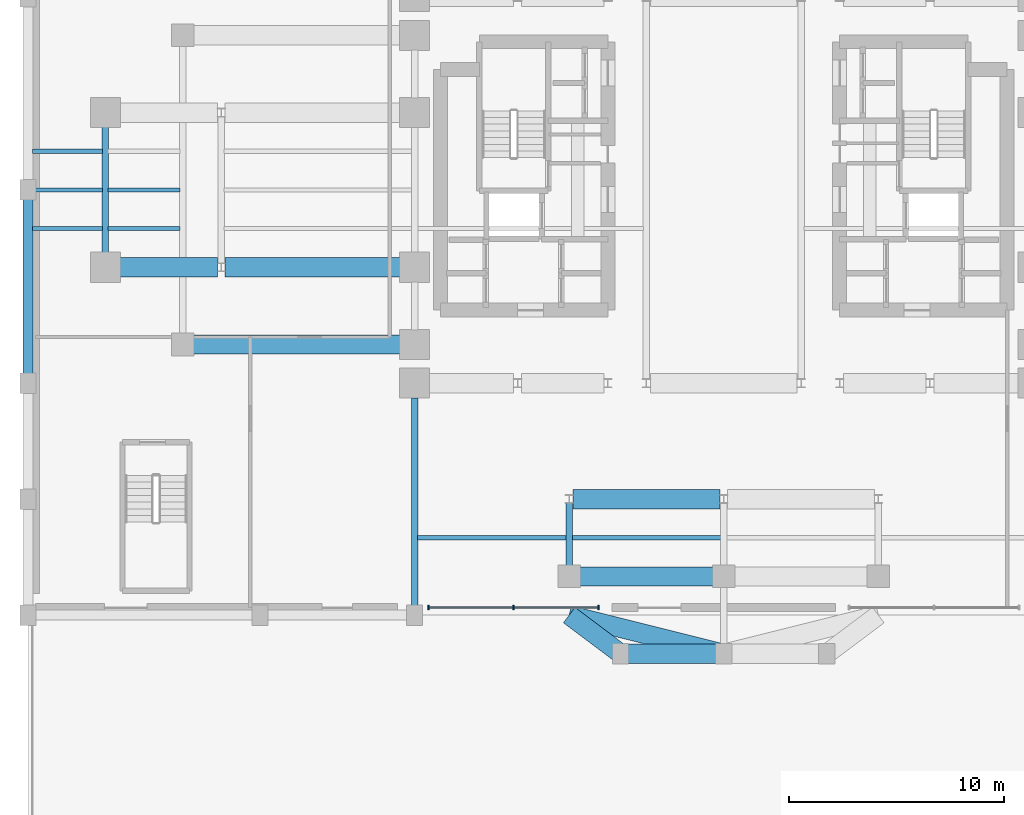
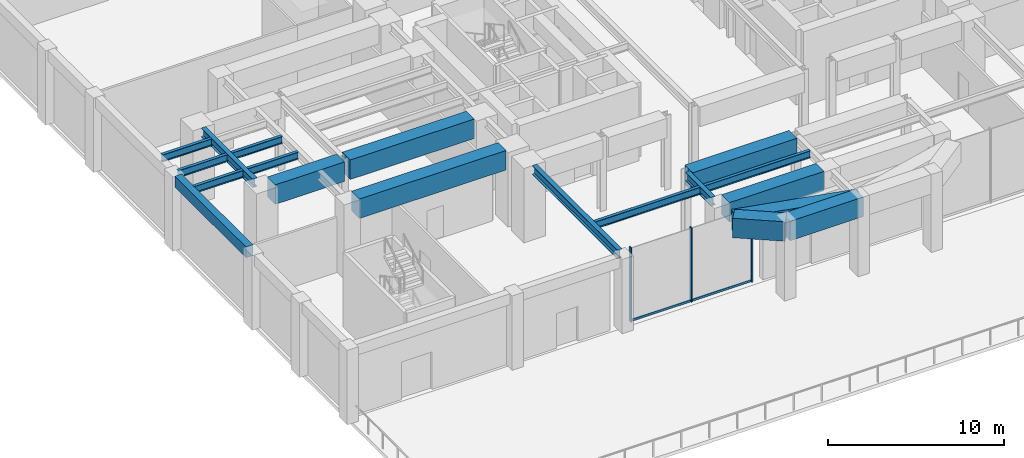
# One storey, part 4 of 17: 19 beams, 5 members, 1 element without a shape of its own.
"""IFC4 building model written with IfcOpenShell, lengths in metres."""

from ifc_helpers import new_model, si_unit, direction, frame, origin, origin_2d, place, context, subcontext, project, spatial, rectangle, i_section, extrude, source, transform, mapped, material, material_profile, profile_set, type_object, element, aggregate, save


model = new_model("IFC4")

# Units and contexts
model_context = context("Model", 3, precision=1e-05, world=origin(), true_north=direction((0.0, 1.0)))
body_context = subcontext(model_context, "Body", "Model", "MODEL_VIEW")
ifc_project = project(units=[si_unit("LENGTHUNIT", "METRE"), si_unit("AREAUNIT", "SQUARE_METRE"), si_unit("VOLUMEUNIT", "CUBIC_METRE"), si_unit("PLANEANGLEUNIT", "RADIAN"), si_unit("MASSUNIT", "GRAM", prefix="KILO")], contexts=[model_context])

# Site, building, storey
site_placement = place(None, origin())
site = spatial("IfcSite", under=ifc_project, at=site_placement, CompositionType="ELEMENT")
building_placement = place(site_placement, origin())
building = spatial("IfcBuilding", under=site, at=building_placement, Name="Keilestroom Media Tower", CompositionType="ELEMENT")
storey_placement = place(building_placement, origin())
storey = spatial("IfcBuildingStorey", under=building, at=storey_placement, Name="L00", CompositionType="ELEMENT", Elevation=0.0)

# Beams
ifc_material_1 = material(Name="Concrete C55/67", Category="concrete")
ifc_material_profile_1 = material_profile(ifc_material_1, rectangle(XDim=0.89990234375, YDim=1.35009765625, at=origin_2d()), Name="RC 900x1350")
ifc_profile_set_1 = profile_set([ifc_material_profile_1], Name="Concrete C55/67")
beam_type_1 = type_object("IfcBeamType", Name="Primary-Structural-Girder-RC-900x1350", PredefinedType="BEAM", material=ifc_profile_set_1)
shared_shape_1 = source(origin(), body_context, "Body", "SweptSolid", [
    extrude(rectangle(XDim=0.89990234375, YDim=1.35009765625, at=origin_2d()), origin(), (0.0, 0.0, 1.0), 3.0),
])
beam_1_placement = place(storey_placement, frame((-4.800048828125, -21.60009765625, 4.705078125), z_axis=(-0.799980468008, 0.600026041773, 0.0), x_axis=(-0.600026041773, -0.799980468008, 0.0)))
element("IfcBeam", 1, at=beam_1_placement, inside=storey, type_object=beam_type_1, Name="L00 South-Lobe Podium Tie Girder 1", PredefinedType="BEAM", context=body_context, shape_type="MappedRepresentation", body=[
    mapped(shared_shape_1, transform((0.0, 0.0, 0.0), x_axis=(1.0, 0.0, 0.0), y_axis=(0.0, 1.0, 0.0), z_axis=(0.0, 0.0, 1.0), scale=1.0)),
])
shared_shape_2 = source(origin(), body_context, "Body", "SweptSolid", [
    extrude(rectangle(XDim=0.89990234375, YDim=1.35009765625, at=origin_2d()), origin(), (0.0, 0.0, 1.0), 7.421630859375),
])
beam_2_placement = place(storey_placement, frame((0.0, -21.60009765625, 4.705078125), z_axis=(-0.970140565046, 0.242543365301, 0.0), x_axis=(-0.242543365301, -0.970140565046, 0.0)))
element("IfcBeam", 2, at=beam_2_placement, inside=storey, type_object=beam_type_1, Name="L00 South-Lobe Podium Tie Girder 2", PredefinedType="BEAM", context=body_context, shape_type="MappedRepresentation", body=[
    mapped(shared_shape_2, transform((0.0, 0.0, 0.0), x_axis=(1.0, 0.0, 0.0), y_axis=(0.0, 1.0, 0.0), z_axis=(0.0, 0.0, 1.0), scale=1.0)),
])
shared_shape_3 = source(origin(), body_context, "Body", "SweptSolid", [
    extrude(rectangle(XDim=0.89990234375, YDim=1.35009765625, at=origin_2d()), origin(), (0.0, 0.0, 1.0), 4.800048828125),
])
beam_3_placement = place(storey_placement, frame((-4.800048828125, -21.60009765625, 4.705078125), z_axis=(1.0, 0.0, 0.0), x_axis=(0.0, 1.0, 0.0)))
element("IfcBeam", 3, at=beam_3_placement, inside=storey, type_object=beam_type_1, Name="L00 South-Lobe Transverse Tie Girder W", PredefinedType="BEAM", context=body_context, shape_type="MappedRepresentation", body=[
    mapped(shared_shape_3, transform((0.0, 0.0, 0.0), x_axis=(1.0, 0.0, 0.0), y_axis=(0.0, 1.0, 0.0), z_axis=(0.0, 0.0, 1.0), scale=1.0)),
])
shared_shape_4 = source(origin(), body_context, "Body", "SweptSolid", [
    extrude(rectangle(XDim=0.89990234375, YDim=1.35009765625, at=origin_2d()), origin(), (0.0, 0.0, 1.0), 6.190185546875),
])
beam_4_placement = place(storey_placement, frame((-6.695068359375, -18.0, 4.47509765625), z_axis=(1.0, 0.0, 0.0), x_axis=(0.0, 1.0, 0.0)))
element("IfcBeam", 4, at=beam_4_placement, inside=storey, type_object=beam_type_1, Name="L00 Beam TG-2 BM-L00-EW-005", PredefinedType="BEAM", context=body_context, shape_type="MappedRepresentation", body=[
    mapped(shared_shape_4, transform((0.0, 0.0, 0.0), x_axis=(1.0, 0.0, 0.0), y_axis=(0.0, 1.0, 0.0), z_axis=(0.0, 0.0, 1.0), scale=1.0)),
])
shared_shape_5 = source(origin(), body_context, "Body", "SweptSolid", [
    extrude(rectangle(XDim=0.89990234375, YDim=1.35009765625, at=origin_2d()), origin(), (0.0, 0.0, 1.0), 6.833984375),
])
beam_5_placement = place(storey_placement, frame((-7.01708984375, -14.39990234375, 4.47509765625), z_axis=(1.0, 0.0, 0.0), x_axis=(0.0, 1.0, 0.0)))
element("IfcBeam", 5, at=beam_5_placement, inside=storey, type_object=beam_type_1, Name="L00 Beam TG-2 BM-L00-EW-007", PredefinedType="BEAM", context=body_context, shape_type="MappedRepresentation", body=[
    mapped(shared_shape_5, transform((0.0, 0.0, 0.0), x_axis=(1.0, 0.0, 0.0), y_axis=(0.0, 1.0, 0.0), z_axis=(0.0, 0.0, 1.0), scale=1.0)),
])
shared_shape_6 = source(origin(), body_context, "Body", "SweptSolid", [
    extrude(rectangle(XDim=0.89990234375, YDim=1.35009765625, at=origin_2d()), origin(), (0.0, 0.0, 1.0), 9.614990234375),
])
beam_6_placement = place(storey_placement, frame((-24.695068359375, -7.199951171875, 4.47509765625), z_axis=(1.0, 0.0, 0.0), x_axis=(0.0, 1.0, 0.0)))
element("IfcBeam", 6, at=beam_6_placement, inside=storey, type_object=beam_type_1, Name="L00 Beam TG-2 BM-L00-EW-016", PredefinedType="BEAM", context=body_context, shape_type="MappedRepresentation", body=[
    mapped(shared_shape_6, transform((0.0, 0.0, 0.0), x_axis=(1.0, 0.0, 0.0), y_axis=(0.0, 1.0, 0.0), z_axis=(0.0, 0.0, 1.0), scale=1.0)),
])
shared_shape_7 = source(origin(), body_context, "Body", "SweptSolid", [
    extrude(rectangle(XDim=0.89990234375, YDim=1.35009765625, at=origin_2d()), origin(), (0.0, 0.0, 1.0), 4.537109375),
])
beam_7_placement = place(storey_placement, frame((-28.1201171875, -3.60009765625, 4.47509765625), z_axis=(1.0, 0.0, 0.0), x_axis=(0.0, 1.0, 0.0)))
element("IfcBeam", 7, at=beam_7_placement, inside=storey, type_object=beam_type_1, Name="L00 Beam TG-2 BM-L00-EW-018", PredefinedType="BEAM", context=body_context, shape_type="MappedRepresentation", body=[
    mapped(shared_shape_7, transform((0.0, 0.0, 0.0), x_axis=(1.0, 0.0, 0.0), y_axis=(0.0, 1.0, 0.0), z_axis=(0.0, 0.0, 1.0), scale=1.0)),
])
shared_shape_8 = source(origin(), body_context, "Body", "SweptSolid", [
    extrude(rectangle(XDim=0.89990234375, YDim=1.35009765625, at=origin_2d()), origin(), (0.0, 0.0, 1.0), 8.136962890625),
])
beam_8_placement = place(storey_placement, frame((-23.217041015625, -3.60009765625, 4.47509765625), z_axis=(1.0, 0.0, 0.0), x_axis=(0.0, 1.0, 0.0)))
element("IfcBeam", 8, at=beam_8_placement, inside=storey, type_object=beam_type_1, Name="L00 Beam TG-2 BM-L00-EW-019", PredefinedType="BEAM", context=body_context, shape_type="MappedRepresentation", body=[
    mapped(shared_shape_8, transform((0.0, 0.0, 0.0), x_axis=(1.0, 0.0, 0.0), y_axis=(0.0, 1.0, 0.0), z_axis=(0.0, 0.0, 1.0), scale=1.0)),
])
ifc_material_2 = material(Name="Precast concrete C40/50", Category="concrete")
ifc_material_profile_2 = material_profile(ifc_material_2, rectangle(XDim=0.449951171875, YDim=0.75, at=origin_2d()), Name="PC 450x750")
ifc_profile_set_2 = profile_set([ifc_material_profile_2], Name="Precast concrete C40/50")
beam_type_2 = type_object("IfcBeamType", Name="Perimeter-Spandrel-Beam-PC-450x750", PredefinedType="SPANDREL", material=ifc_profile_set_2)
shared_shape_9 = source(origin(), body_context, "Body", "SweptSolid", [
    extrude(rectangle(XDim=0.449951171875, YDim=0.75, at=origin_2d()), origin(), (0.0, 0.0, 1.0), 8.08984375),
])
beam_9_placement = place(storey_placement, frame((-32.39990234375, -8.544921875, 4.77490234375), z_axis=(0.0, 1.0, 0.0), x_axis=(-1.0, 0.0, 0.0)))
element("IfcBeam", 9, at=beam_9_placement, inside=storey, type_object=beam_type_2, Name="L00 Beam SPB-1 BM-L00-NS-047", PredefinedType="SPANDREL", context=body_context, shape_type="MappedRepresentation", body=[
    mapped(shared_shape_9, transform((0.0, 0.0, 0.0), x_axis=(1.0, 0.0, 0.0), y_axis=(0.0, 1.0, 0.0), z_axis=(0.0, 0.0, 1.0), scale=1.0)),
])
ifc_material_3 = material(Name="Steel S355", Category="steel")
ifc_material_profile_3 = material_profile(ifc_material_3, i_section(OverallWidth=0.300048828125, OverallDepth=0.60009765625, WebThickness=0.013427734375, FlangeThickness=0.030029296875, at=origin_2d()), Name="HEB 600")
ifc_profile_set_3 = profile_set([ifc_material_profile_3], Name="Steel S355")
beam_type_3 = type_object("IfcBeamType", Name="Primary-Structural-Girder-HEB-600", PredefinedType="BEAM", material=ifc_profile_set_3)
shared_shape_10 = source(origin(), body_context, "Body", "SweptSolid", [
    extrude(i_section(OverallWidth=0.300048828125, OverallDepth=0.60009765625, WebThickness=0.013427734375, FlangeThickness=0.030029296875, at=origin_2d()), origin(), (0.0, 0.0, 1.0), 5.83984375),
])
beam_10_placement = place(storey_placement, frame((-28.800048828125, -2.919921875, 4.85009765625), z_axis=(0.0, 1.0, 0.0), x_axis=(-1.0, 0.0, 0.0)))
element("IfcBeam", 10, at=beam_10_placement, inside=storey, type_object=beam_type_3, Name="L00 Beam BG-4 BM-L00-NS-051", PredefinedType="BEAM", context=body_context, shape_type="MappedRepresentation", body=[
    mapped(shared_shape_10, transform((0.0, 0.0, 0.0), x_axis=(1.0, 0.0, 0.0), y_axis=(0.0, 1.0, 0.0), z_axis=(0.0, 0.0, 1.0), scale=1.0)),
])
shared_shape_11 = source(origin(), body_context, "Body", "SweptSolid", [
    extrude(i_section(OverallWidth=0.300048828125, OverallDepth=0.60009765625, WebThickness=0.013427734375, FlangeThickness=0.030029296875, at=origin_2d()), origin(), (0.0, 0.0, 1.0), 9.6650390625),
])
beam_11_placement = place(storey_placement, frame((-14.39990234375, -19.344970703125, 4.85009765625), z_axis=(0.0, 1.0, 0.0), x_axis=(-1.0, 0.0, 0.0)))
element("IfcBeam", 11, at=beam_11_placement, inside=storey, type_object=beam_type_3, Name="L00 Beam BG-4 BM-L00-NS-054", PredefinedType="BEAM", context=body_context, shape_type="MappedRepresentation", body=[
    mapped(shared_shape_11, transform((0.0, 0.0, 0.0), x_axis=(1.0, 0.0, 0.0), y_axis=(0.0, 1.0, 0.0), z_axis=(0.0, 0.0, 1.0), scale=1.0)),
])
shared_shape_12 = source(origin(), body_context, "Body", "SweptSolid", [
    extrude(i_section(OverallWidth=0.300048828125, OverallDepth=0.60009765625, WebThickness=0.013427734375, FlangeThickness=0.030029296875, at=origin_2d()), origin(), (0.0, 0.0, 1.0), 2.9072265625),
])
beam_12_placement = place(storey_placement, frame((-7.199951171875, -17.4951171875, 4.85009765625), z_axis=(0.0, 1.0, 0.0), x_axis=(-1.0, 0.0, 0.0)))
element("IfcBeam", 12, at=beam_12_placement, inside=storey, type_object=beam_type_3, Name="L00 Beam BG-4 BM-L00-NS-062", PredefinedType="BEAM", context=body_context, shape_type="MappedRepresentation", body=[
    mapped(shared_shape_12, transform((0.0, 0.0, 0.0), x_axis=(1.0, 0.0, 0.0), y_axis=(0.0, 1.0, 0.0), z_axis=(0.0, 0.0, 1.0), scale=1.0)),
])
ifc_material_profile_4 = material_profile(ifc_material_3, i_section(OverallWidth=0.199951171875, OverallDepth=0.5, WebThickness=0.01025390625, FlangeThickness=0.01611328125, at=origin_2d()), Name="IPE 500")
ifc_profile_set_4 = profile_set([ifc_material_profile_4], Name="Steel S355")
beam_type_4 = type_object("IfcBeamType", Name="Secondary-Floor-Joist-IPE-500", PredefinedType="JOIST", material=ifc_profile_set_4)
shared_shape_13 = source(origin(), body_context, "Body", "SweptSolid", [
    extrude(i_section(OverallWidth=0.199951171875, OverallDepth=0.5, WebThickness=0.01025390625, FlangeThickness=0.01611328125, at=origin_2d()), origin(), (0.0, 0.0, 1.0), 6.93994140625),
])
beam_13_placement = place(storey_placement, frame((-14.27001953125, -16.199951171875, 4.89990234375), z_axis=(1.0, 0.0, 0.0), x_axis=(0.0, 1.0, 0.0)))
element("IfcBeam", 13, at=beam_13_placement, inside=storey, type_object=beam_type_4, Name="L00 Beam BJ-2 JST-L00-091", PredefinedType="JOIST", context=body_context, shape_type="MappedRepresentation", body=[
    mapped(shared_shape_13, transform((0.0, 0.0, 0.0), x_axis=(1.0, 0.0, 0.0), y_axis=(0.0, 1.0, 0.0), z_axis=(0.0, 0.0, 1.0), scale=1.0)),
])
shared_shape_14 = source(origin(), body_context, "Body", "SweptSolid", [
    extrude(i_section(OverallWidth=0.199951171875, OverallDepth=0.5, WebThickness=0.01025390625, FlangeThickness=0.01611328125, at=origin_2d()), origin(), (0.0, 0.0, 1.0), 6.940185546875),
])
beam_14_placement = place(storey_placement, frame((-7.070068359375, -16.199951171875, 4.89990234375), z_axis=(1.0, 0.0, 0.0), x_axis=(0.0, 1.0, 0.0)))
element("IfcBeam", 14, at=beam_14_placement, inside=storey, type_object=beam_type_4, Name="L00 Beam BJ-2 JST-L00-092", PredefinedType="JOIST", context=body_context, shape_type="MappedRepresentation", body=[
    mapped(shared_shape_14, transform((0.0, 0.0, 0.0), x_axis=(1.0, 0.0, 0.0), y_axis=(0.0, 1.0, 0.0), z_axis=(0.0, 0.0, 1.0), scale=1.0)),
])
shared_shape_15 = source(origin(), body_context, "Body", "SweptSolid", [
    extrude(i_section(OverallWidth=0.199951171875, OverallDepth=0.5, WebThickness=0.01025390625, FlangeThickness=0.01611328125, at=origin_2d()), origin(), (0.0, 0.0, 1.0), 3.26513671875),
])
for number, where, z_axis, x_axis, name in (
    (15, (-32.195068359375, -1.800048828125, 4.89990234375), (1.0, 0.0, 0.0), (0.0, 1.0, 0.0), "L00 Beam BJ-2 JST-L00-095"),
    (16, (-32.195068359375, 0.0, 4.89990234375), (1.0, 0.0, 0.0), (0.0, 1.0, 0.0), "L00 Beam BJ-2 JST-L00-104"),
    (17, (-32.195068359375, 1.800048828125, 4.89990234375), (1.0, 0.0, 0.0), (0.0, 1.0, 0.0), "L00 Beam BJ-2 JST-L00-113"),
):
    element("IfcBeam", number, at=place(storey_placement, frame(where, z_axis=z_axis, x_axis=x_axis)), inside=storey, type_object=beam_type_4, Name=name, PredefinedType="JOIST", context=body_context, shape_type="MappedRepresentation", body=[
        mapped(shared_shape_15, transform((0.0, 0.0, 0.0), x_axis=(1.0, 0.0, 0.0), y_axis=(0.0, 1.0, 0.0), z_axis=(0.0, 0.0, 1.0), scale=1.0)),
    ])
shared_shape_16 = source(origin(), body_context, "Body", "SweptSolid", [
    extrude(i_section(OverallWidth=0.199951171875, OverallDepth=0.5, WebThickness=0.01025390625, FlangeThickness=0.01611328125, at=origin_2d()), origin(), (0.0, 0.0, 1.0), 3.33984375),
])
for number, where, z_axis, x_axis, name in (
    (18, (-28.669921875, -1.800048828125, 4.89990234375), (1.0, 0.0, 0.0), (0.0, 1.0, 0.0), "L00 Beam BJ-2 JST-L00-096"),
    (19, (-28.669921875, 0.0, 4.89990234375), (1.0, 0.0, 0.0), (0.0, 1.0, 0.0), "L00 Beam BJ-2 JST-L00-105"),
):
    element("IfcBeam", number, at=place(storey_placement, frame(where, z_axis=z_axis, x_axis=x_axis)), inside=storey, type_object=beam_type_4, Name=name, PredefinedType="JOIST", context=body_context, shape_type="MappedRepresentation", body=[
        mapped(shared_shape_16, transform((0.0, 0.0, 0.0), x_axis=(1.0, 0.0, 0.0), y_axis=(0.0, 1.0, 0.0), z_axis=(0.0, 0.0, 1.0), scale=1.0)),
    ])

# Curtain wall, members
ifc_material_4 = material(Name="Anodised Aluminium Alloy", Category="aluminium")
curtain_wall_type = type_object("IfcCurtainWallType", Name="Unitised-Curtain-Wall-CW-7", PredefinedType="NOTDEFINED", material=ifc_material_4)
curtain_wall_placement = place(storey_placement, origin())
curtain_wall = element("IfcCurtainWall", 20, at=curtain_wall_placement, inside=storey, type_object=curtain_wall_type, Name="L00 Curtain Wall CW-7 CW-L00-S-ATR", PredefinedType="NOTDEFINED")
ifc_material_profile_5 = material_profile(ifc_material_4, rectangle(XDim=0.070068359375, YDim=0.199951171875, at=origin_2d()), Name="ALU MULLION 70x200")
ifc_profile_set_5 = profile_set([ifc_material_profile_5], Name="Anodised Aluminium Alloy")
member_type_1 = type_object("IfcMemberType", Name="Curtain-Wall-Mullion-CW-7", PredefinedType="MULLION", material=ifc_profile_set_5)
shared_shape_17 = source(origin(), body_context, "Body", "SweptSolid", [
    extrude(rectangle(XDim=0.070068359375, YDim=0.199951171875, at=origin_2d()), origin(), (0.0, 0.0, 1.0), 5.14990234375),
])
member_1_placement = place(storey_placement, frame((-13.7451171875, -19.449951171875, 0.0), z_axis=(0.0, 0.0, 1.0), x_axis=(1.0, 0.0, 0.0)))
member_1 = element("IfcMember", 21, at=member_1_placement, type_object=member_type_1, Name="CW-7 Mullion 00", PredefinedType="MULLION", context=body_context, shape_type="MappedRepresentation", body=[
    mapped(shared_shape_17, transform((0.0, 0.0, 0.0), x_axis=(1.0, 0.0, 0.0), y_axis=(0.0, 1.0, 0.0), z_axis=(0.0, 0.0, 1.0), scale=1.0)),
])
member_2_placement = place(storey_placement, frame((-9.7900390625, -19.449951171875, 0.0), z_axis=(0.0, 0.0, 1.0), x_axis=(1.0, 0.0, 0.0)))
member_2 = element("IfcMember", 22, at=member_2_placement, type_object=member_type_1, Name="CW-7 Mullion 01", PredefinedType="MULLION", context=body_context, shape_type="MappedRepresentation", body=[
    mapped(shared_shape_17, transform((0.0, 0.0, 0.0), x_axis=(1.0, 0.0, 0.0), y_axis=(0.0, 1.0, 0.0), z_axis=(0.0, 0.0, 1.0), scale=1.0)),
])
member_3_placement = place(storey_placement, frame((-5.8349609375, -19.449951171875, 0.0), z_axis=(0.0, 0.0, 1.0), x_axis=(1.0, 0.0, 0.0)))
member_3 = element("IfcMember", 23, at=member_3_placement, type_object=member_type_1, Name="CW-7 Mullion 02", PredefinedType="MULLION", context=body_context, shape_type="MappedRepresentation", body=[
    mapped(shared_shape_17, transform((0.0, 0.0, 0.0), x_axis=(1.0, 0.0, 0.0), y_axis=(0.0, 1.0, 0.0), z_axis=(0.0, 0.0, 1.0), scale=1.0)),
])
ifc_material_profile_6 = material_profile(ifc_material_4, rectangle(XDim=0.06494140625, YDim=0.14990234375, at=origin_2d()), Name="ALU TRANSOM 65x150")
ifc_profile_set_6 = profile_set([ifc_material_profile_6], Name="Anodised Aluminium Alloy")
member_type_2 = type_object("IfcMemberType", Name="Curtain-Wall-Transom-CW-7", PredefinedType="USERDEFINED", material=ifc_profile_set_6)
shared_shape_18 = source(origin(), body_context, "Body", "SweptSolid", [
    extrude(rectangle(XDim=0.06494140625, YDim=0.14990234375, at=origin_2d()), origin(), (0.0, 0.0, 1.0), 3.888916015625),
])
member_4_placement = place(storey_placement, frame((-13.7119140625, -19.449951171875, 0.074951171875), z_axis=(1.0, 0.0, 0.0), x_axis=(0.0, 1.0, 0.0)))
member_4 = element("IfcMember", 24, at=member_4_placement, type_object=member_type_2, Name="CW-7 Transom 00.1", ObjectType="TRANSOM", PredefinedType="USERDEFINED", context=body_context, shape_type="MappedRepresentation", body=[
    mapped(shared_shape_18, transform((0.0, 0.0, 0.0), x_axis=(1.0, 0.0, 0.0), y_axis=(0.0, 1.0, 0.0), z_axis=(0.0, 0.0, 1.0), scale=1.0)),
])
shared_shape_19 = source(origin(), body_context, "Body", "SweptSolid", [
    extrude(rectangle(XDim=0.06494140625, YDim=0.14990234375, at=origin_2d()), origin(), (0.0, 0.0, 1.0), 3.88916015625),
])
member_5_placement = place(storey_placement, frame((-9.757080078125, -19.449951171875, 0.074951171875), z_axis=(1.0, 0.0, 0.0), x_axis=(0.0, 1.0, 0.0)))
member_5 = element("IfcMember", 25, at=member_5_placement, type_object=member_type_2, Name="CW-7 Transom 01.1", ObjectType="TRANSOM", PredefinedType="USERDEFINED", context=body_context, shape_type="MappedRepresentation", body=[
    mapped(shared_shape_19, transform((0.0, 0.0, 0.0), x_axis=(1.0, 0.0, 0.0), y_axis=(0.0, 1.0, 0.0), z_axis=(0.0, 0.0, 1.0), scale=1.0)),
])
aggregate(curtain_wall, [member_1, member_2, member_3, member_4, member_5])

save(model, "model.ifc")
